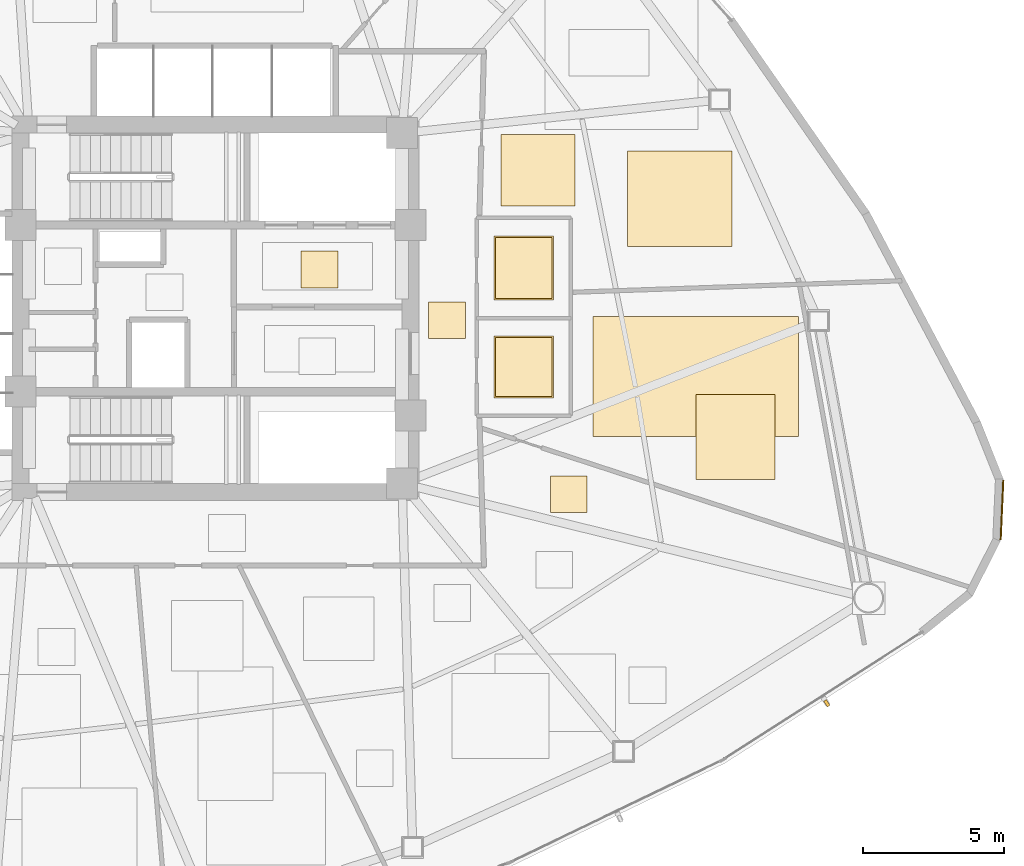
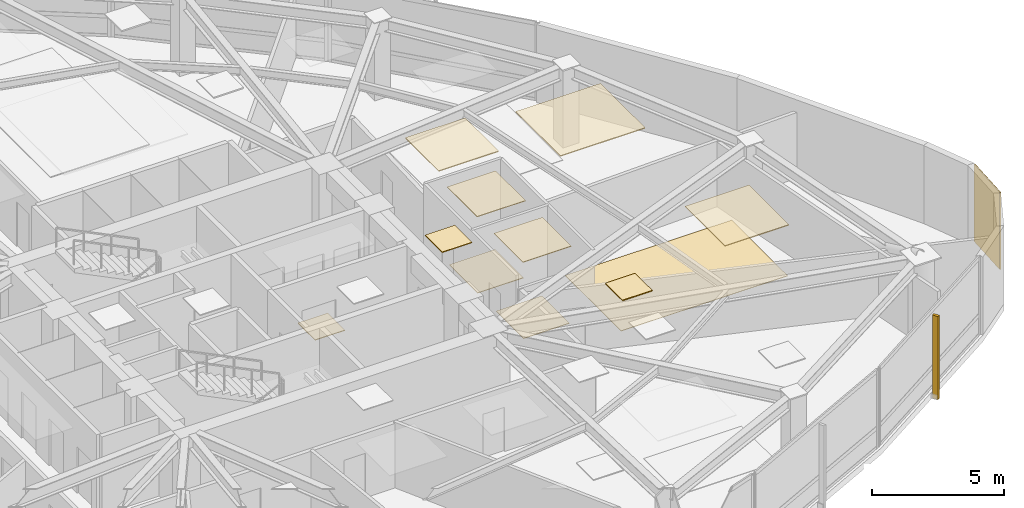
# One storey, part 16 of 17: 12 coverings, 1 shading device.
"""IFC4 building model written with IfcOpenShell, lengths in metres."""

from ifc_helpers import new_model, si_unit, direction, frame, origin, origin_2d, place, context, subcontext, project, spatial, polyline, rectangle, outline, extrude, source, transform, mapped, material, layer, layer_set, type_object, type_shapes, element, save


model = new_model("IFC4")

# Units and contexts
model_context = context("Model", 3, precision=1e-05, world=origin(), true_north=direction((0.0, 1.0)))
body_context = subcontext(model_context, "Body", "Model", "MODEL_VIEW")
ifc_project = project(units=[si_unit("LENGTHUNIT", "METRE"), si_unit("AREAUNIT", "SQUARE_METRE"), si_unit("VOLUMEUNIT", "CUBIC_METRE"), si_unit("PLANEANGLEUNIT", "RADIAN"), si_unit("MASSUNIT", "GRAM", prefix="KILO")], contexts=[model_context])

# Site, building, storey
site_placement = place(None, origin())
site = spatial("IfcSite", under=ifc_project, at=site_placement, CompositionType="ELEMENT")
building_placement = place(site_placement, origin())
building = spatial("IfcBuilding", under=site, at=building_placement, Name="Tavelor Broadcast Tower", CompositionType="ELEMENT")
storey_placement = place(building_placement, frame((0.0, 0.0, 90.0)))
storey = spatial("IfcBuildingStorey", under=building, at=storey_placement, Name="L21", CompositionType="ELEMENT", Elevation=90.0)

# Coverings
ifc_material_1 = material(Name="Copper-Bronze Anodized Aluminium", Category="aluminium")
ifc_layer_1 = layer(ifc_material_1, 0.050048828125)
ifc_layer_set_1 = layer_set([ifc_layer_1], Name="Copper-Bronze Anodized Aluminium")
covering_type_1 = type_object("IfcCoveringType", Name="Champagne-Bronze Corner Pier Metal Cladding 50 mm", PredefinedType="CLADDING", material=ifc_layer_set_1)
covering_1_placement = place(storey_placement, frame((77.8369140625, 37.865478515625, 0.02001953125), z_axis=(0.0, 0.0, 1.0), x_axis=(0.044491204688, 0.999009776081, 0.0)))
element("IfcCovering", 1, at=covering_1_placement, inside=storey, type_object=covering_type_1, Name="L21 Champagne-Bronze Corner Cladding 23", PredefinedType="CLADDING", context=body_context, shape_type="SweptSolid", body=[
    extrude(rectangle(XDim=2.101806640625, YDim=0.050048828125, at=origin_2d()), origin(), (0.0, 0.0, 1.0), 3.56005859375),
])
ifc_material_2 = material(Name="Architectural Anodized Aluminium", Category="aluminium")
ifc_layer_2 = layer(ifc_material_2, 0.034912109375)
ifc_layer_set_2 = layer_set([ifc_layer_2], Name="Architectural Anodized Aluminium")
covering_type_2 = type_object("IfcCoveringType", Name="Demountable Metal Tile Corridor Ceiling 35 mm", PredefinedType="CEILING", material=ifc_layer_set_2)
covering_2_placement = place(storey_placement, frame((0.0, 0.0, 3.56494140625)))
element("IfcCovering", 2, at=covering_2_placement, inside=storey, type_object=covering_type_2, Name="L21 Suspended Acoustic Ceiling 0878", PredefinedType="CEILING", context=body_context, shape_type="SweptSolid", body=[
    extrude(outline(polyline([(57.5400390625, 43.925048828125), (58.840087890625, 43.925048828125), (58.840087890625, 45.22509765625), (57.5400390625, 45.22509765625), (57.5400390625, 43.925048828125)])), origin(), (0.0, 0.0, 1.0), 0.03515625),
])
ifc_material_3 = material(Name="Acoustic Nylon Carpet Tile")
ifc_layer_3 = layer(ifc_material_3, 0.02001953125)
ifc_layer_set_3 = layer_set([ifc_layer_3], Name="Acoustic Nylon Carpet Tile")
covering_type_3 = type_object("IfcCoveringType", Name="Heavy-Duty Acoustic Broadcast Carpet Tile 20 mm", PredefinedType="FLOORING", material=ifc_layer_set_3)
covering_3_placement = place(storey_placement, origin())
element("IfcCovering", 3, at=covering_3_placement, inside=storey, type_object=covering_type_3, Name="L21 Broadcast Floor Finish 0321", PredefinedType="FLOORING", context=body_context, shape_type="SweptSolid", body=[
    extrude(outline(polyline([(63.35302734375, 40.472412109375), (70.627197265625, 40.472412109375), (70.627197265625, 44.7041015625), (63.35302734375, 44.7041015625), (63.35302734375, 40.472412109375)])), origin(), (0.0, 0.0, 1.0), 0.02001953125),
])
ifc_material_4 = material(Name="Honed Natural Limestone Tile", Category="masonry")
ifc_layer_4 = layer(ifc_material_4, 0.030029296875)
ifc_layer_set_4 = layer_set([ifc_layer_4], Name="Honed Natural Limestone Tile")
covering_type_4 = type_object("IfcCoveringType", Name="Honed Jerusalem Limestone Concourse Flooring 30 mm", PredefinedType="FLOORING", material=ifc_layer_set_4)
covering_4_placement = place(storey_placement, origin())
element("IfcCovering", 4, at=covering_4_placement, inside=storey, type_object=covering_type_4, Name="L21 Broadcast Floor Finish 0306", PredefinedType="FLOORING", context=body_context, shape_type="SweptSolid", body=[
    extrude(outline(polyline([(53.030029296875, 45.728515625), (54.330078125, 45.728515625), (54.330078125, 47.028564453125), (53.030029296875, 47.028564453125), (53.030029296875, 45.728515625)])), origin(), (0.0, 0.0, 1.0), 0.030029296875),
])
ifc_layer_5 = layer(ifc_material_2, 0.030029296875)
ifc_layer_set_5 = layer_set([ifc_layer_5], Name="Architectural Anodized Aluminium")
covering_type_5 = type_object("IfcCoveringType", Name="Moisture-Resistant Washroom Ceiling 30 mm", PredefinedType="CEILING", material=ifc_layer_set_5)
covering_5_placement = place(storey_placement, frame((0.0, 0.0, 3.570068359375)))
element("IfcCovering", 5, at=covering_5_placement, inside=storey, type_object=covering_type_5, Name="L21 Suspended Acoustic Ceiling 0881", PredefinedType="CEILING", context=body_context, shape_type="SweptSolid", body=[
    extrude(outline(polyline([(59.85302734375, 41.828369140625), (61.967041015625, 41.828369140625), (61.967041015625, 44.021484375), (59.85302734375, 44.021484375), (59.85302734375, 41.828369140625)])), origin(), (0.0, 0.0, 1.0), 0.030029296875),
])
covering_6_placement = place(storey_placement, frame((0.0, 0.0, 3.570068359375)))
element("IfcCovering", 6, at=covering_6_placement, inside=storey, type_object=covering_type_5, Name="L21 Suspended Acoustic Ceiling 0882", PredefinedType="CEILING", context=body_context, shape_type="SweptSolid", body=[
    extrude(outline(polyline([(59.85302734375, 45.29248046875), (61.967041015625, 45.29248046875), (61.967041015625, 47.5576171875), (59.85302734375, 47.5576171875), (59.85302734375, 45.29248046875)])), origin(), (0.0, 0.0, 1.0), 0.030029296875),
])
ifc_material_5 = material(Name="Slip-Resistant Porcelain Tile")
ifc_layer_6 = layer(ifc_material_5, 0.02490234375)
ifc_layer_set_6 = layer_set([ifc_layer_6], Name="Slip-Resistant Porcelain Tile")
covering_type_6 = type_object("IfcCoveringType", Name="Slip-Resistant Porcelain Wet-Area Floor Tile 25 mm", PredefinedType="FLOORING", material=ifc_layer_set_6)
covering_7_placement = place(storey_placement, origin())
element("IfcCovering", 7, at=covering_7_placement, inside=storey, type_object=covering_type_6, Name="L21 Broadcast Floor Finish 0309", PredefinedType="FLOORING", context=body_context, shape_type="SweptSolid", body=[
    extrude(outline(polyline([(59.91064453125, 41.885986328125), (61.909423828125, 41.885986328125), (61.909423828125, 43.964111328125), (59.91064453125, 43.964111328125), (59.91064453125, 41.885986328125)])), origin(), (0.0, 0.0, 1.0), 0.02490234375),
])
covering_8_placement = place(storey_placement, origin())
element("IfcCovering", 8, at=covering_8_placement, inside=storey, type_object=covering_type_6, Name="L21 Broadcast Floor Finish 0310", PredefinedType="FLOORING", context=body_context, shape_type="SweptSolid", body=[
    extrude(outline(polyline([(59.91064453125, 45.35009765625), (61.909423828125, 45.35009765625), (61.909423828125, 47.5), (59.91064453125, 47.5), (59.91064453125, 45.35009765625)])), origin(), (0.0, 0.0, 1.0), 0.02490234375),
])
ifc_material_6 = material(Name="Acoustic Mineral Fibre Tile")
ifc_layer_7 = layer(ifc_material_6, 0.0400390625)
ifc_layer_set_7 = layer_set([ifc_layer_7], Name="Acoustic Mineral Fibre Tile")
covering_type_7 = type_object("IfcCoveringType", Name="Suspended Acoustic Mineral-Fibre Office Ceiling 40 mm", PredefinedType="CEILING", material=ifc_layer_set_7)
covering_9_placement = place(storey_placement, frame((0.0, 0.0, 3.56005859375)))
element("IfcCovering", 9, at=covering_9_placement, inside=storey, type_object=covering_type_7, Name="L21 Suspended Acoustic Ceiling 0884", PredefinedType="CEILING", context=body_context, shape_type="SweptSolid", body=[
    extrude(outline(polyline([(61.8564453125, 37.773681640625), (63.156494140625, 37.773681640625), (63.156494140625, 39.073486328125), (61.8564453125, 39.073486328125), (61.8564453125, 37.773681640625)])), origin(), (0.0, 0.0, 1.0), 0.0400390625),
])
covering_10_placement = place(storey_placement, frame((0.0, 0.0, 3.56005859375)))
element("IfcCovering", 10, at=covering_10_placement, inside=storey, type_object=covering_type_7, Name="L21 Suspended Acoustic Ceiling 0916", PredefinedType="CEILING", context=body_context, shape_type="SweptSolid", body=[
    extrude(outline(polyline([(64.580078125, 47.189697265625), (68.2841796875, 47.189697265625), (68.2841796875, 50.564697265625), (64.580078125, 50.564697265625), (64.580078125, 47.189697265625)])), origin(), (0.0, 0.0, 1.0), 0.0400390625),
])
covering_11_placement = place(storey_placement, frame((0.0, 0.0, 3.56005859375)))
element("IfcCovering", 11, at=covering_11_placement, inside=storey, type_object=covering_type_7, Name="L21 Suspended Acoustic Ceiling 0917", PredefinedType="CEILING", context=body_context, shape_type="SweptSolid", body=[
    extrude(outline(polyline([(60.101318359375, 48.6298828125), (62.71533203125, 48.6298828125), (62.71533203125, 51.154052734375), (60.101318359375, 51.154052734375), (60.101318359375, 48.6298828125)])), origin(), (0.0, 0.0, 1.0), 0.0400390625),
])
covering_12_placement = place(storey_placement, frame((0.0, 0.0, 3.56005859375)))
element("IfcCovering", 12, at=covering_12_placement, inside=storey, type_object=covering_type_7, Name="L21 Suspended Acoustic Ceiling 0919", PredefinedType="CEILING", context=body_context, shape_type="SweptSolid", body=[
    extrude(outline(polyline([(67.001953125, 38.94140625), (69.79931640625, 38.94140625), (69.79931640625, 41.95654296875), (67.001953125, 41.95654296875), (67.001953125, 38.94140625)])), origin(), (0.0, 0.0, 1.0), 0.0400390625),
])

# Shading device
ifc_material_7 = material(Name="Kiln-Fired Glazed Terracotta", Category="masonry")
shading_device_type = type_object("IfcShadingDeviceType", Name="Extruded Terracotta Baguette Sun-Screen 110x240", PredefinedType="JALOUSIE", material=ifc_material_7)
shared_shape = source(origin(), body_context, "Body", "SweptSolid", [
    extrude(rectangle(XDim=0.110107421875, YDim=0.239990234375, at=origin_2d()), origin(), (0.0, 0.0, 1.0), 3.840087890625),
])
type_shapes(shading_device_type, [shared_shape])
shading_device_placement = place(storey_placement, frame((71.6376953125, 31.022705078125, -0.26025390625), z_axis=(0.0, 0.0, 1.0), x_axis=(0.841699310121, 0.539946544894, 0.0)))
element("IfcShadingDevice", 13, at=shading_device_placement, inside=storey, type_object=shading_device_type, Name="L21 Terracotta Baguette Fin 212", PredefinedType="JALOUSIE", context=body_context, shape_type="MappedRepresentation", body=[
    mapped(shared_shape, transform((0.0, 0.0, 0.0), scale=1.0)),
])

save(model, "model.ifc")
